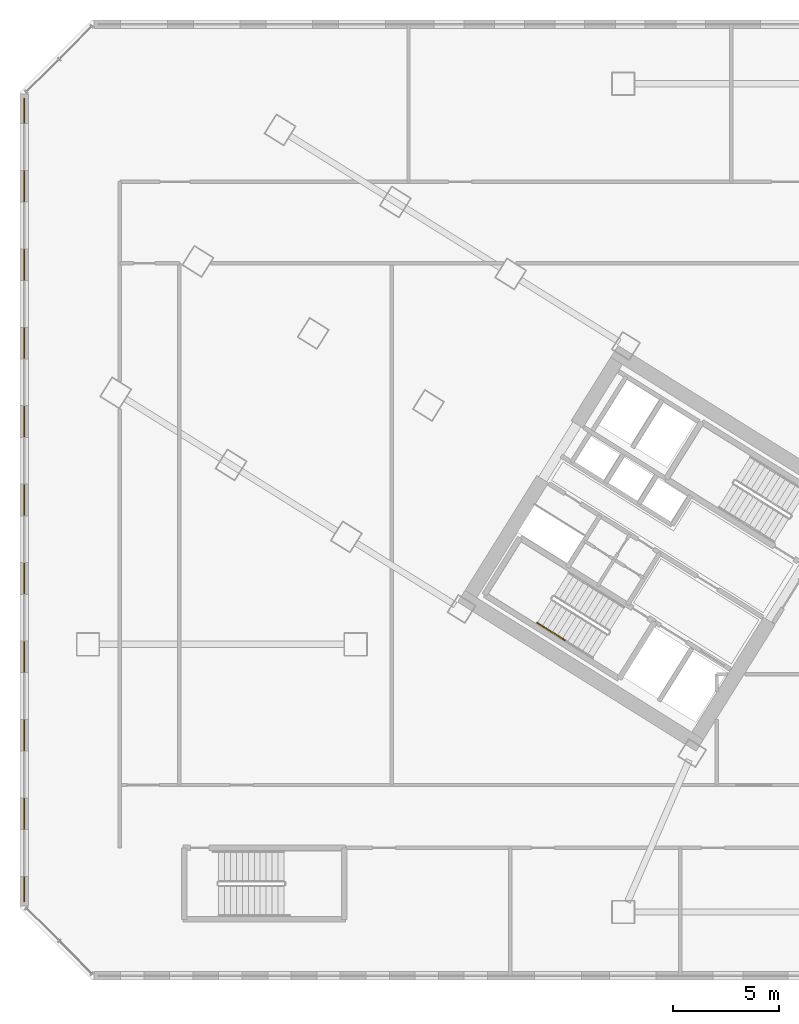
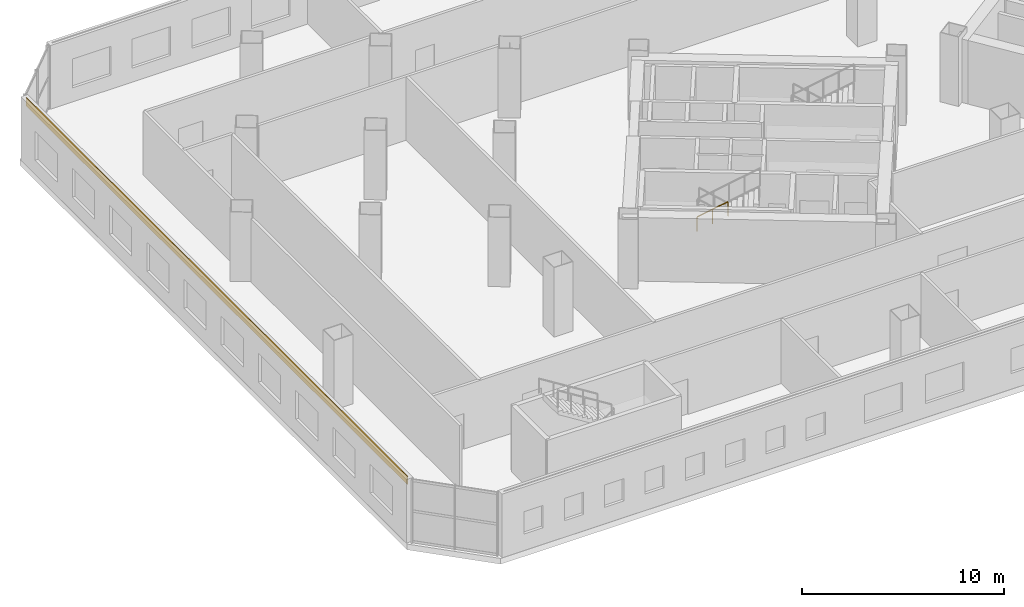
# One storey, part 17 of 22: 1 covering, 1 railing.
"""IFC4 building model written with IfcOpenShell, lengths in metres."""

from ifc_helpers import new_model, si_unit, direction, frame, origin, origin_2d, place, context, subcontext, project, spatial, rectangle, extrude, source, transform, mapped, material, layer, layer_set, type_object, element, save


model = new_model("IFC4")

# Units and contexts
model_context = context("Model", 3, precision=1e-05, world=origin(), true_north=direction((0.0, 1.0)))
body_context = subcontext(model_context, "Body", "Model", "MODEL_VIEW")
ifc_project = project(units=[si_unit("LENGTHUNIT", "METRE"), si_unit("AREAUNIT", "SQUARE_METRE"), si_unit("VOLUMEUNIT", "CUBIC_METRE"), si_unit("PLANEANGLEUNIT", "RADIAN"), si_unit("MASSUNIT", "GRAM", prefix="KILO")], contexts=[model_context])

# Site, building, storey
site_placement = place(None, origin())
site = spatial("IfcSite", under=ifc_project, at=site_placement, CompositionType="ELEMENT")
building_placement = place(site_placement, origin())
building = spatial("IfcBuilding", under=site, at=building_placement, Name="Tlacorven Tower", CompositionType="ELEMENT")
storey_placement = place(building_placement, frame((0.0, 0.0, 10.199951171875)))
storey = spatial("IfcBuildingStorey", under=building, at=storey_placement, Name="L02", CompositionType="ELEMENT", Elevation=10.199951171875)

# Covering
ifc_material_1 = material(Name="Precast concrete C45/55", Category="concrete")
ifc_layer = layer(ifc_material_1, 0.06005859375)
ifc_layer_set = layer_set([ifc_layer], Name="Precast concrete C45/55")
covering_type = type_object("IfcCoveringType", Name="CV-CLD-TERC", PredefinedType="CLADDING", material=ifc_layer_set)
shared_shape_1 = source(origin(), body_context, "Body", "SweptSolid", [
    extrude(rectangle(XDim=37.834228515625, YDim=0.06005859375, at=origin_2d()), origin(), (0.0, 0.0, 1.0), 0.47998046875),
])
covering_placement = place(storey_placement, frame((1.60009765625, 24.0, 3.3701171875), z_axis=(0.0, 0.0, 1.0), x_axis=(0.0, 1.0, 0.0)))
element("IfcCovering", 1, at=covering_placement, inside=storey, type_object=covering_type, Name="L02 Expressed Terracotta Masonry Spandrel Band 2", PredefinedType="CLADDING", context=body_context, shape_type="MappedRepresentation", body=[
    mapped(shared_shape_1, transform((0.0, 0.0, 0.0), scale=1.0)),
])

# Railing
ifc_material_2 = material(Name="Aluminium and painted steel balustrade", Category="steel")
railing_type = type_object("IfcRailingType", Name="RL-HND-0900", PredefinedType="HANDRAIL", material=ifc_material_2)
shared_shape_2 = source(origin(), body_context, "Body", "SweptSolid", [
    extrude(rectangle(XDim=0.048095703125, YDim=0.048095703125, at=origin_2d()), frame((0.0, 0.0, 0.8759765625), z_axis=(0.719125628956, -0.449436712956, 0.529966952579), x_axis=(0.529984689533, 0.848007210383, 0.0)), (0.0, 0.0, 1.0), 1.81591796875),
    extrude(rectangle(XDim=0.0419921875, YDim=0.0419921875, at=origin_2d()), origin(), (0.0, 0.0, 1.0), 0.851806640625),
    extrude(rectangle(XDim=0.0419921875, YDim=0.0419921875, at=origin_2d()), frame((0.65283203125, -0.408203125, 0.481201171875)), (0.0, 0.0, 1.0), 0.851806640625),
    extrude(rectangle(XDim=0.0419921875, YDim=0.0419921875, at=origin_2d()), frame((1.305908203125, -0.816162109375, 0.96240234375)), (0.0, 0.0, 1.0), 0.851806640625),
])
railing_placement = place(storey_placement, frame((25.75390625, 18.2119140625, 2.275146484375)))
element("IfcRailing", 2, at=railing_placement, inside=storey, type_object=railing_type, Name="L02 ST-W1 stair handrail 3", PredefinedType="HANDRAIL", context=body_context, shape_type="MappedRepresentation", body=[
    mapped(shared_shape_2, transform((0.0, 0.0, 0.0), scale=1.0)),
])

save(model, "model.ifc")
